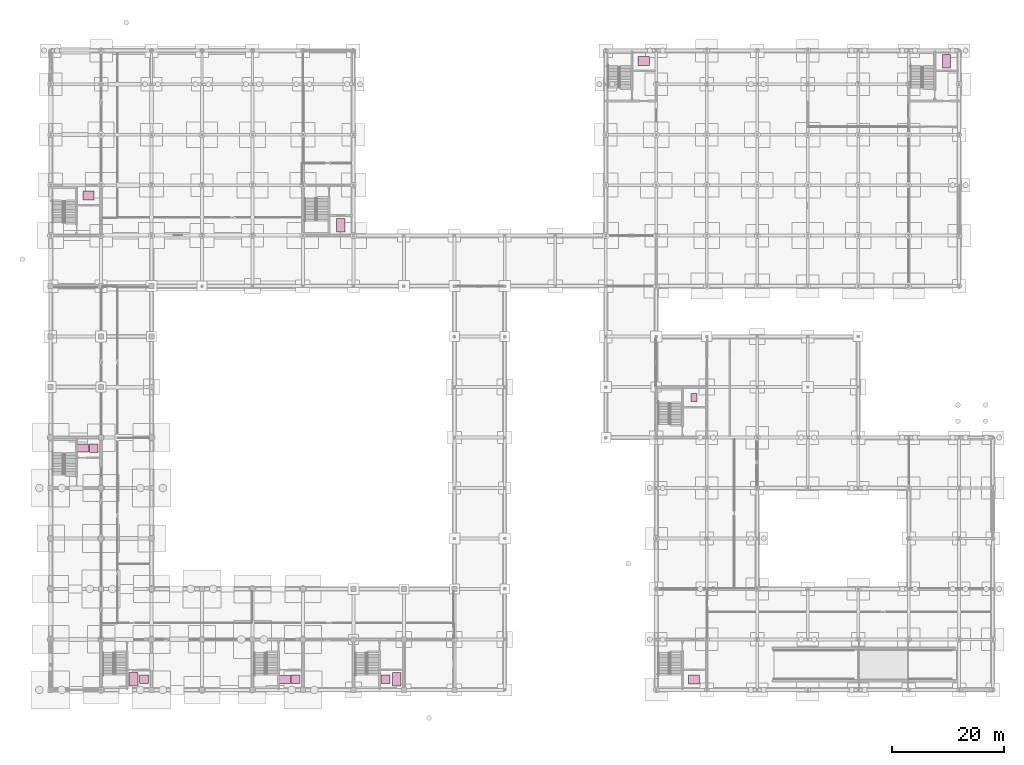
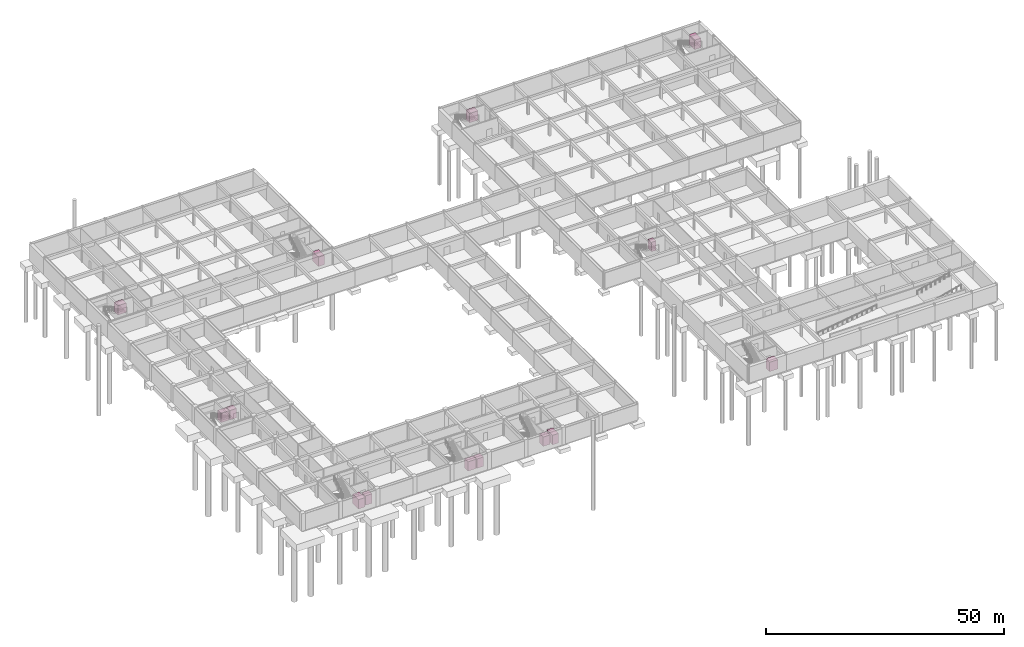
# One storey, part 41 of 41: 14 transport elements.
"""IFC4 building model written with IfcOpenShell, lengths in metres."""

from ifc_helpers import new_model, si_unit, direction, frame, origin, origin_2d, place, context, subcontext, project, spatial, rectangle, extrude, material, type_object, element, save


model = new_model("IFC4")

# Units and contexts
model_context = context("Model", 3, precision=1e-05, world=origin(), true_north=direction((0.0, 1.0)))
body_context = subcontext(model_context, "Body", "Model", "MODEL_VIEW")
ifc_project = project(units=[si_unit("LENGTHUNIT", "METRE"), si_unit("AREAUNIT", "SQUARE_METRE"), si_unit("VOLUMEUNIT", "CUBIC_METRE"), si_unit("PLANEANGLEUNIT", "RADIAN"), si_unit("MASSUNIT", "GRAM", prefix="KILO")], contexts=[model_context])

# Site, building, storey
site_placement = place(None, origin())
site = spatial("IfcSite", under=ifc_project, at=site_placement, CompositionType="ELEMENT")
building_placement = place(site_placement, origin())
building = spatial("IfcBuilding", under=site, at=building_placement, Name="Palais des Congres Ocreval", CompositionType="ELEMENT")
storey_placement = place(building_placement, frame((0.0, 0.0, -8.9599609375)))
storey = spatial("IfcBuildingStorey", under=building, at=storey_placement, Name="B2", CompositionType="ELEMENT", Elevation=-8.9599609375)

# Transport elements
ifc_material = material(Name="Stainless steel", Category="steel")
transport_element_type = type_object("IfcTransportElementType", Name="Traction Passenger and Firefighting Lift", PredefinedType="ELEVATOR", material=ifc_material)
transport_element_1_placement = place(storey_placement, frame((14.75, 1.8798828125, 0.0), z_axis=(0.0, 0.0, 1.0), x_axis=(1.0, 0.0, 0.0)))
element("IfcTransportElement", 1, at=transport_element_1_placement, inside=storey, type_object=transport_element_type, Name="Firefighting and Evacuation Lift FF1", PredefinedType="ELEVATOR", context=body_context, shape_type="SweptSolid", body=[
    extrude(rectangle(XDim=1.60009765625, YDim=2.39990234375, at=origin_2d()), origin(), (0.0, 0.0, 1.0), 2.39990234375),
])
transport_element_2_placement = place(storey_placement, frame((16.699951171875, 1.8798828125, 0.0), z_axis=(0.0, 0.0, 1.0), x_axis=(1.0, 0.0, 0.0)))
element("IfcTransportElement", 2, at=transport_element_2_placement, inside=storey, type_object=transport_element_type, Name="Hotel Guest Passenger Lift PL1", PredefinedType="ELEVATOR", context=body_context, shape_type="SweptSolid", body=[
    extrude(rectangle(XDim=1.60009765625, YDim=1.5, at=origin_2d()), origin(), (0.0, 0.0, 1.0), 2.39990234375),
])
transport_element_3_placement = place(storey_placement, frame((41.75, 1.8798828125, 0.0), z_axis=(0.0, 0.0, 1.0), x_axis=(1.0, 0.0, 0.0)))
element("IfcTransportElement", 3, at=transport_element_3_placement, inside=storey, type_object=transport_element_type, Name="Firefighting and Evacuation Lift FF2", PredefinedType="ELEVATOR", context=body_context, shape_type="SweptSolid", body=[
    extrude(rectangle(XDim=2.0, YDim=1.39990234375, at=origin_2d()), origin(), (0.0, 0.0, 1.0), 2.39990234375),
])
transport_element_4_placement = place(storey_placement, frame((43.699951171875, 1.8798828125, 0.0), z_axis=(0.0, 0.0, 1.0), x_axis=(1.0, 0.0, 0.0)))
element("IfcTransportElement", 4, at=transport_element_4_placement, inside=storey, type_object=transport_element_type, Name="Hotel Guest Passenger Lift PL2", PredefinedType="ELEVATOR", context=body_context, shape_type="SweptSolid", body=[
    extrude(rectangle(XDim=1.60009765625, YDim=1.5, at=origin_2d()), origin(), (0.0, 0.0, 1.0), 2.39990234375),
])
transport_element_5_placement = place(storey_placement, frame((5.75, 43.1201171875, 0.0), z_axis=(0.0, 0.0, 1.0), x_axis=(1.0, 0.0, 0.0)))
element("IfcTransportElement", 5, at=transport_element_5_placement, inside=storey, type_object=transport_element_type, Name="Firefighting and Evacuation Lift FF3", PredefinedType="ELEVATOR", context=body_context, shape_type="SweptSolid", body=[
    extrude(rectangle(XDim=2.0, YDim=1.39990234375, at=origin_2d()), origin(), (0.0, 0.0, 1.0), 2.39990234375),
])
for number, where, z_axis, x_axis, name in (
    (6, (7.699951171875, 43.1201171875, 0.0), (0.0, 0.0, 1.0), (1.0, 0.0, 0.0), "Hotel Guest Passenger Lift PL3"),
    (7, (59.75, 1.8798828125, 0.0), (0.0, 0.0, 1.0), (1.0, 0.0, 0.0), "Hotel Guest Passenger Lift PL4"),
):
    element("IfcTransportElement", number, at=place(storey_placement, frame(where, z_axis=z_axis, x_axis=x_axis)), inside=storey, type_object=transport_element_type, Name=name, PredefinedType="ELEVATOR", context=body_context, shape_type="SweptSolid", body=[
        extrude(rectangle(XDim=1.60009765625, YDim=1.5, at=origin_2d()), origin(), (0.0, 0.0, 1.0), 2.39990234375),
    ])
transport_element_6_placement = place(storey_placement, frame((61.699951171875, 1.8798828125, 0.0), z_axis=(0.0, 0.0, 1.0), x_axis=(1.0, 0.0, 0.0)))
element("IfcTransportElement", 8, at=transport_element_6_placement, inside=storey, type_object=transport_element_type, Name="Hotel Housekeeping Service Lift BL1", PredefinedType="ELEVATOR", context=body_context, shape_type="SweptSolid", body=[
    extrude(rectangle(XDim=1.5, YDim=2.39990234375, at=origin_2d()), origin(), (0.0, 0.0, 1.0), 2.39990234375),
])
transport_element_7_placement = place(storey_placement, frame((6.75, 88.1201171875, 0.0), z_axis=(0.0, 0.0, 1.0), x_axis=(1.0, 0.0, 0.0)))
element("IfcTransportElement", 9, at=transport_element_7_placement, inside=storey, type_object=transport_element_type, Name="Congress Delegate Lift CL1", PredefinedType="ELEVATOR", context=body_context, shape_type="SweptSolid", body=[
    extrude(rectangle(XDim=2.0, YDim=1.60009765625, at=origin_2d()), origin(), (0.0, 0.0, 1.0), 2.39990234375),
])
transport_element_8_placement = place(storey_placement, frame((51.75, 82.8798828125, 0.0), z_axis=(0.0, 0.0, 1.0), x_axis=(1.0, 0.0, 0.0)))
element("IfcTransportElement", 10, at=transport_element_8_placement, inside=storey, type_object=transport_element_type, Name="Stage and Congress Freight Lift BL2", PredefinedType="ELEVATOR", context=body_context, shape_type="SweptSolid", body=[
    extrude(rectangle(XDim=1.5, YDim=2.39990234375, at=origin_2d()), origin(), (0.0, 0.0, 1.0), 2.39990234375),
])
transport_element_9_placement = place(storey_placement, frame((105.75, 112.1201171875, 0.0), z_axis=(0.0, 0.0, 1.0), x_axis=(1.0, 0.0, 0.0)))
element("IfcTransportElement", 11, at=transport_element_9_placement, inside=storey, type_object=transport_element_type, Name="Ballroom Delegate Lift CL2", PredefinedType="ELEVATOR", context=body_context, shape_type="SweptSolid", body=[
    extrude(rectangle(XDim=2.0, YDim=1.60009765625, at=origin_2d()), origin(), (0.0, 0.0, 1.0), 2.39990234375),
])
transport_element_10_placement = place(storey_placement, frame((159.75, 112.1201171875, 0.0), z_axis=(0.0, 0.0, 1.0), x_axis=(1.0, 0.0, 0.0)))
element("IfcTransportElement", 12, at=transport_element_10_placement, inside=storey, type_object=transport_element_type, Name="Banquet Culinary Service Lift BL3", PredefinedType="ELEVATOR", context=body_context, shape_type="SweptSolid", body=[
    extrude(rectangle(XDim=1.5, YDim=2.39990234375, at=origin_2d()), origin(), (0.0, 0.0, 1.0), 2.39990234375),
])
transport_element_11_placement = place(storey_placement, frame((114.75, 1.8798828125, 0.0), z_axis=(0.0, 0.0, 1.0), x_axis=(1.0, 0.0, 0.0)))
element("IfcTransportElement", 13, at=transport_element_11_placement, inside=storey, type_object=transport_element_type, Name="Commission and Terrace Lift CL3", PredefinedType="ELEVATOR", context=body_context, shape_type="SweptSolid", body=[
    extrude(rectangle(XDim=2.0, YDim=1.60009765625, at=origin_2d()), origin(), (0.0, 0.0, 1.0), 2.39990234375),
])
transport_element_12_placement = place(storey_placement, frame((114.75, 52.1201171875, 0.0), z_axis=(0.0, 0.0, 1.0), x_axis=(1.0, 0.0, 0.0)))
element("IfcTransportElement", 14, at=transport_element_12_placement, inside=storey, type_object=transport_element_type, Name="Aquathermal Spa Accessible Lift SL1", PredefinedType="ELEVATOR", context=body_context, shape_type="SweptSolid", body=[
    extrude(rectangle(XDim=1.10009765625, YDim=1.39990234375, at=origin_2d()), origin(), (0.0, 0.0, 1.0), 2.39990234375),
])

save(model, "model.ifc")
